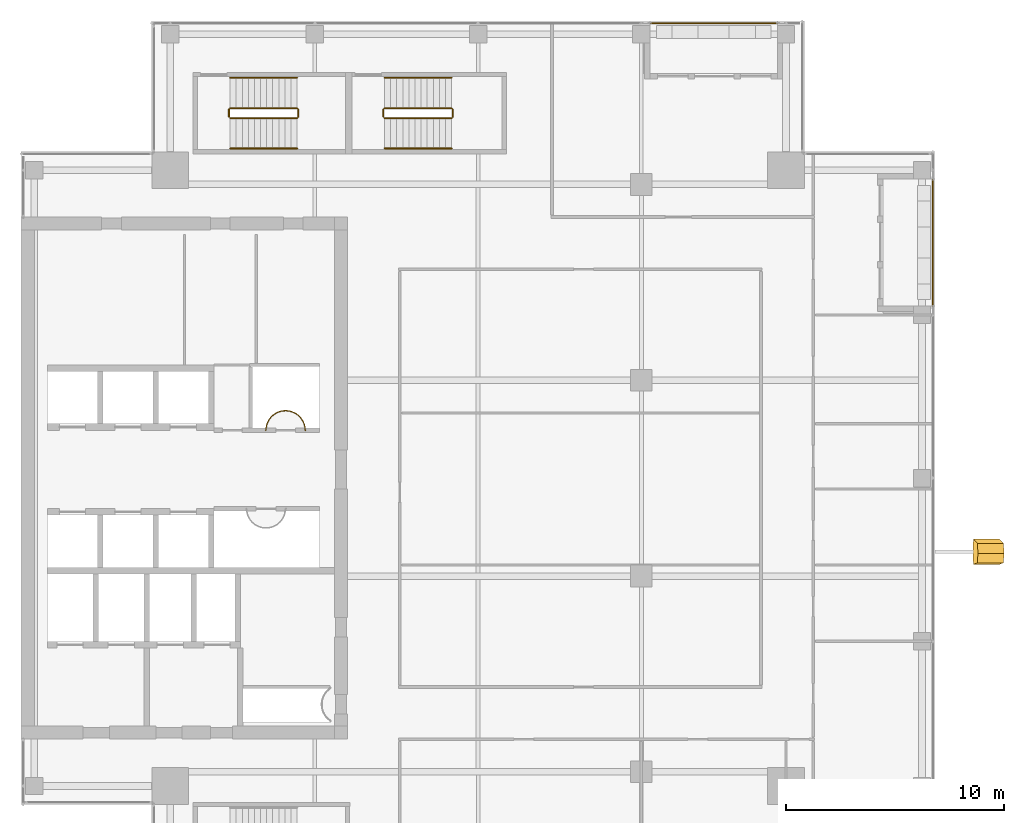
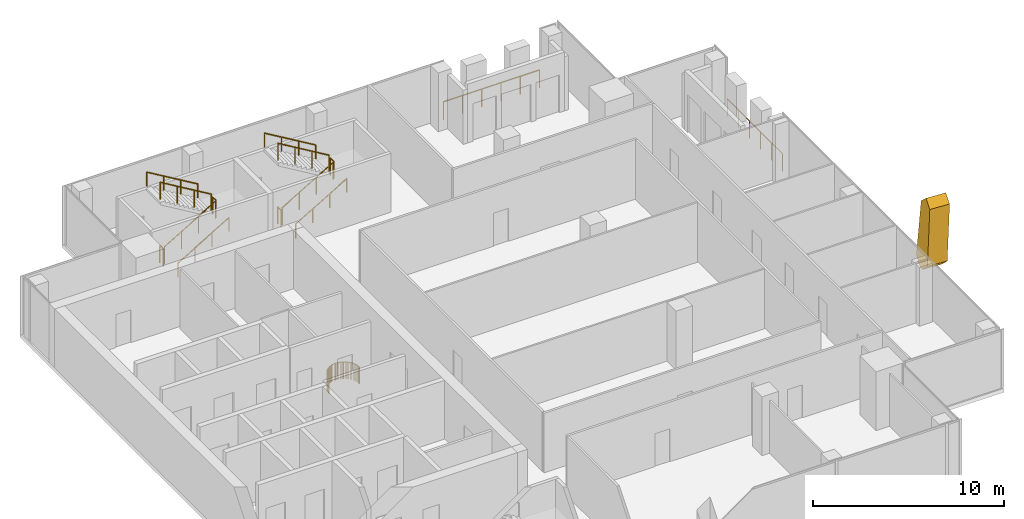
# One storey, part 27 of 28: 15 railings, 1 covering.
"""IFC4 building model written with IfcOpenShell, lengths in metres."""

from ifc_helpers import new_model, si_unit, direction, frame, origin, origin_2d, place, context, subcontext, project, spatial, polyline, circle, outline, extrude, source, transform, mapped, material, layer, layer_set, type_object, element, save


model = new_model("IFC4")

# Units and contexts
model_context = context("Model", 3, precision=1e-05, world=origin(), true_north=direction((0.0, 1.0)))
body_context = subcontext(model_context, "Body", "Model", "MODEL_VIEW")
ifc_project = project(units=[si_unit("LENGTHUNIT", "METRE"), si_unit("AREAUNIT", "SQUARE_METRE"), si_unit("VOLUMEUNIT", "CUBIC_METRE"), si_unit("PLANEANGLEUNIT", "RADIAN"), si_unit("MASSUNIT", "GRAM", prefix="KILO")], contexts=[model_context])

# Site, building, storey
site_placement = place(None, origin())
site = spatial("IfcSite", under=ifc_project, at=site_placement, CompositionType="ELEMENT")
building_placement = place(site_placement, origin())
building = spatial("IfcBuilding", under=site, at=building_placement, Name="Khomas Fold Tower", CompositionType="ELEMENT")
storey_placement = place(building_placement, frame((0.0, 0.0, 298.199951171875)))
storey = spatial("IfcBuildingStorey", under=building, at=storey_placement, Name="L67", CompositionType="ELEMENT", Elevation=298.199951171875)

# Covering
ifc_material_1 = material(Name="Natural stone cladding", Category="masonry")
ifc_layer = layer(ifc_material_1, 1.199951171875)
ifc_layer_set = layer_set([ifc_layer], Name="Natural stone cladding")
covering_type = type_object("IfcCoveringType", Name="SK-Karibib marble stone panel", PredefinedType="CLADDING", material=ifc_layer_set)
covering_placement = place(storey_placement, frame((49.970458984375, 23.546875, 4.426025390625), z_axis=(-0.998630166139, 4.58824e-05, 0.052323887207), x_axis=(-0.035626932576, 0.731787257032, -0.68060130188)))
element("IfcCovering", 1, at=covering_placement, inside=storey, type_object=covering_type, Name="OUTER SKIN leaf L67 ES06-1", PredefinedType="CLADDING", context=body_context, shape_type="SweptSolid", body=[
    extrude(outline(polyline([(0.0, 0.0), (0.624874768349703, 0.0), (3.17248368535986, 2.4524657354807786), (3.1676580811215707, 3.1064140394432718), (2.974170385964027, 3.2866143276822513), (2.331489226327451, 3.2567482565058574), (-0.022801956541875334, 0.624257978467811), (0.0, 0.0)])), origin(), (0.0, 0.0, -1.0), 1.199951171875),
])

# Railings
ifc_material_2 = material(Name="Powder-coated steel", Category="steel")
railing_type_1 = type_object("IfcRailingType", Name="Balcony guard", PredefinedType="GUARDRAIL", material=ifc_material_2)
shared_shape_1 = source(origin(), body_context, "Body", "SweptSolid", [
    extrude(circle(Radius=0.02490234375, at=origin_2d()), frame((0.0, 0.0, 1.125), z_axis=(1.0, 0.0, 0.0), x_axis=(0.0, 1.0, 0.0)), (0.0, 0.0, 1.0), 5.7900390625),
    extrude(circle(Radius=0.02001953125, at=origin_2d()), origin(), (0.0, 0.0, 1.0), 1.099853515625),
    extrude(circle(Radius=0.02001953125, at=origin_2d()), frame((1.157958984375, 0.0, 0.0)), (0.0, 0.0, 1.0), 1.099853515625),
    extrude(circle(Radius=0.02001953125, at=origin_2d()), frame((2.31591796875, 0.0, 0.0)), (0.0, 0.0, 1.0), 1.099853515625),
    extrude(circle(Radius=0.02001953125, at=origin_2d()), frame((3.47412109375, 0.0, 0.0)), (0.0, 0.0, 1.0), 1.099853515625),
    extrude(circle(Radius=0.02001953125, at=origin_2d()), frame((4.632080078125, 0.0, 0.0)), (0.0, 0.0, 1.0), 1.099853515625),
    extrude(circle(Radius=0.02001953125, at=origin_2d()), frame((5.7900390625, 0.0, 0.0)), (0.0, 0.0, 1.0), 1.099853515625),
])
railing_1_placement = place(storey_placement, frame((34.929931640625, 47.89990234375, -0.044921875)))
element("IfcRailing", 2, at=railing_1_placement, inside=storey, type_object=railing_type_1, Name="Balcony guard BAL-L67-N4", PredefinedType="GUARDRAIL", context=body_context, shape_type="MappedRepresentation", body=[
    mapped(shared_shape_1, transform((0.0, 0.0, 0.0))),
])
shared_shape_2 = source(origin(), body_context, "Body", "SweptSolid", [
    extrude(circle(Radius=0.02490234375, at=origin_2d()), frame((0.0, 0.0, 1.125), z_axis=(0.0, 1.0, 0.0), x_axis=(-1.0, 0.0, 0.0)), (0.0, 0.0, 1.0), 5.7900390625),
    extrude(circle(Radius=0.02001953125, at=origin_2d()), origin(), (0.0, 0.0, 1.0), 1.099853515625),
    extrude(circle(Radius=0.02001953125, at=origin_2d()), frame((0.0, 1.157958984375, 0.0)), (0.0, 0.0, 1.0), 1.099853515625),
    extrude(circle(Radius=0.02001953125, at=origin_2d()), frame((0.0, 2.31591796875, 0.0)), (0.0, 0.0, 1.0), 1.099853515625),
    extrude(circle(Radius=0.02001953125, at=origin_2d()), frame((0.0, 3.47412109375, 0.0)), (0.0, 0.0, 1.0), 1.099853515625),
    extrude(circle(Radius=0.02001953125, at=origin_2d()), frame((0.0, 4.632080078125, 0.0)), (0.0, 0.0, 1.0), 1.099853515625),
    extrude(circle(Radius=0.02001953125, at=origin_2d()), frame((0.0, 5.7900390625, 0.0)), (0.0, 0.0, 1.0), 1.099853515625),
])
railing_2_placement = place(storey_placement, frame((47.89990234375, 34.929931640625, -0.044921875)))
element("IfcRailing", 3, at=railing_2_placement, inside=storey, type_object=railing_type_1, Name="Balcony guard BAL-L67-E4", PredefinedType="GUARDRAIL", context=body_context, shape_type="MappedRepresentation", body=[
    mapped(shared_shape_2, transform((0.0, 0.0, 0.0))),
])
ifc_material_3 = material(Name="Steel balustrade", Category="steel")
railing_type_2 = type_object("IfcRailingType", Name="Stair guard", PredefinedType="GUARDRAIL", material=ifc_material_3)
shared_shape_3 = source(origin(), body_context, "Body", "SweptSolid", [
    extrude(circle(Radius=0.02392578125, at=origin_2d()), frame((0.0, 0.0, 1.076171875), z_axis=(0.0, 1.0, 0.0), x_axis=(-1.0, 0.0, 0.0)), (0.0, 0.0, 1.0), 0.349853515625),
    extrude(circle(Radius=0.02099609375, at=origin_2d()), origin(), (0.0, 0.0, 1.0), 1.052001953125),
    extrude(circle(Radius=0.02099609375, at=origin_2d()), frame((0.0, 0.349853515625, 0.0)), (0.0, 0.0, 1.0), 1.052001953125),
])
for number, where, name in (
    (4, (18.72998046875, 43.60009765625, 2.0), "L67 ST1 stair guard 2"),
    (5, (15.550048828125, 43.60009765625, 0.0), "L67 ST1 stair guard 4"),
    (6, (25.830078125, 43.60009765625, 2.0), "L67 ST3 stair guard 2"),
    (7, (22.64990234375, 43.60009765625, 0.0), "L67 ST3 stair guard 4"),
):
    element("IfcRailing", number, at=place(storey_placement, frame(where)), inside=storey, type_object=railing_type_2, Name=name, PredefinedType="GUARDRAIL", context=body_context, shape_type="MappedRepresentation", body=[
        mapped(shared_shape_3, transform((0.0, 0.0, 0.0))),
    ])
shared_shape_4 = source(origin(), body_context, "Body", "SweptSolid", [
    extrude(circle(Radius=0.02392578125, at=origin_2d()), frame((0.0, 0.0, 1.076171875), z_axis=(0.859290745958, 0.0, 0.51148745235), x_axis=(0.0, 1.0, 0.0)), (0.0, 0.0, 1.0), 3.584228515625),
    extrude(circle(Radius=0.02099609375, at=origin_2d()), origin(), (0.0, 0.0, 1.0), 1.052001953125),
    extrude(circle(Radius=0.02099609375, at=origin_2d()), frame((1.026611328125, 0.0, 0.611083984375)), (0.0, 0.0, 1.0), 1.052001953125),
    extrude(circle(Radius=0.02099609375, at=origin_2d()), frame((2.05322265625, 0.0, 1.22216796875)), (0.0, 0.0, 1.0), 1.052001953125),
    extrude(circle(Radius=0.02099609375, at=origin_2d()), frame((3.079833984375, 0.0, 1.833251953125)), (0.0, 0.0, 1.0), 1.052001953125),
])
railing_3_placement = place(storey_placement, frame((15.60009765625, 43.550048828125, 0.166748046875)))
element("IfcRailing", 8, at=railing_3_placement, inside=storey, type_object=railing_type_2, Name="L67 ST1 stair guard 1", PredefinedType="GUARDRAIL", context=body_context, shape_type="MappedRepresentation", body=[
    mapped(shared_shape_4, transform((0.0, 0.0, 0.0))),
])
shared_shape_5 = source(origin(), body_context, "Body", "SweptSolid", [
    extrude(circle(Radius=0.02392578125, at=origin_2d()), frame((0.0, 0.0, 1.076171875), z_axis=(-0.859290745958, 0.0, 0.51148745235), x_axis=(0.0, -1.0, 0.0)), (0.0, 0.0, 1.0), 3.584228515625),
    extrude(circle(Radius=0.02099609375, at=origin_2d()), origin(), (0.0, 0.0, 1.0), 1.052001953125),
    extrude(circle(Radius=0.02099609375, at=origin_2d()), frame((-1.026611328125, 0.0, 0.611083984375)), (0.0, 0.0, 1.0), 1.052001953125),
    extrude(circle(Radius=0.02099609375, at=origin_2d()), frame((-2.05322265625, 0.0, 1.22216796875)), (0.0, 0.0, 1.0), 1.052001953125),
    extrude(circle(Radius=0.02099609375, at=origin_2d()), frame((-3.079833984375, 0.0, 1.833251953125)), (0.0, 0.0, 1.0), 1.052001953125),
])
railing_4_placement = place(storey_placement, frame((18.679931640625, 44.0, 2.166748046875)))
element("IfcRailing", 9, at=railing_4_placement, inside=storey, type_object=railing_type_2, Name="L67 ST1 stair guard 3", PredefinedType="GUARDRAIL", context=body_context, shape_type="MappedRepresentation", body=[
    mapped(shared_shape_5, transform((0.0, 0.0, 0.0))),
])
ifc_material_4 = material(Name="Steel handrail", Category="steel")
railing_type_3 = type_object("IfcRailingType", Name="Stair handrail", PredefinedType="HANDRAIL", material=ifc_material_4)
shared_shape_6 = source(origin(), body_context, "Body", "SweptSolid", [
    extrude(circle(Radius=0.02392578125, at=origin_2d()), frame((0.0, 0.0, 0.8759765625), z_axis=(0.859290745958, 0.0, 0.51148745235), x_axis=(0.0, 1.0, 0.0)), (0.0, 0.0, 1.0), 3.584228515625),
    extrude(circle(Radius=0.02099609375, at=origin_2d()), origin(), (0.0, 0.0, 1.0), 0.851806640625),
    extrude(circle(Radius=0.02099609375, at=origin_2d()), frame((1.026611328125, 0.0, 0.611083984375)), (0.0, 0.0, 1.0), 0.851806640625),
    extrude(circle(Radius=0.02099609375, at=origin_2d()), frame((2.05322265625, 0.0, 1.22216796875)), (0.0, 0.0, 1.0), 0.851806640625),
    extrude(circle(Radius=0.02099609375, at=origin_2d()), frame((3.079833984375, 0.0, 1.833251953125)), (0.0, 0.0, 1.0), 0.851806640625),
])
railing_5_placement = place(storey_placement, frame((15.60009765625, 42.14990234375, 0.166748046875)))
element("IfcRailing", 10, at=railing_5_placement, inside=storey, type_object=railing_type_3, Name="L67 ST1 stair handrail 1", PredefinedType="HANDRAIL", context=body_context, shape_type="MappedRepresentation", body=[
    mapped(shared_shape_6, transform((0.0, 0.0, 0.0))),
])
shared_shape_7 = source(origin(), body_context, "Body", "SweptSolid", [
    extrude(circle(Radius=0.02392578125, at=origin_2d()), frame((0.0, 0.0, 0.8759765625), z_axis=(-0.859290745958, 0.0, 0.51148745235), x_axis=(0.0, -1.0, 0.0)), (0.0, 0.0, 1.0), 3.584228515625),
    extrude(circle(Radius=0.02099609375, at=origin_2d()), origin(), (0.0, 0.0, 1.0), 0.851806640625),
    extrude(circle(Radius=0.02099609375, at=origin_2d()), frame((-1.026611328125, 0.0, 0.611083984375)), (0.0, 0.0, 1.0), 0.851806640625),
    extrude(circle(Radius=0.02099609375, at=origin_2d()), frame((-2.05322265625, 0.0, 1.22216796875)), (0.0, 0.0, 1.0), 0.851806640625),
    extrude(circle(Radius=0.02099609375, at=origin_2d()), frame((-3.079833984375, 0.0, 1.833251953125)), (0.0, 0.0, 1.0), 0.851806640625),
])
railing_6_placement = place(storey_placement, frame((18.679931640625, 45.39990234375, 2.166748046875)))
element("IfcRailing", 11, at=railing_6_placement, inside=storey, type_object=railing_type_3, Name="L67 ST1 stair handrail 2", PredefinedType="HANDRAIL", context=body_context, shape_type="MappedRepresentation", body=[
    mapped(shared_shape_7, transform((0.0, 0.0, 0.0))),
])
shared_shape_8 = source(origin(), body_context, "Body", "SweptSolid", [
    extrude(circle(Radius=0.02392578125, at=origin_2d()), frame((0.0, 0.0, 1.076171875), z_axis=(0.859308565015, 0.0, 0.511457515432), x_axis=(0.0, 1.0, 0.0)), (0.0, 0.0, 1.0), 3.58447265625),
    extrude(circle(Radius=0.02099609375, at=origin_2d()), origin(), (0.0, 0.0, 1.0), 1.052001953125),
    extrude(circle(Radius=0.02099609375, at=origin_2d()), frame((1.026611328125, 0.0, 0.611083984375)), (0.0, 0.0, 1.0), 1.052001953125),
    extrude(circle(Radius=0.02099609375, at=origin_2d()), frame((2.053466796875, 0.0, 1.22216796875)), (0.0, 0.0, 1.0), 1.052001953125),
    extrude(circle(Radius=0.02099609375, at=origin_2d()), frame((3.080078125, 0.0, 1.833251953125)), (0.0, 0.0, 1.0), 1.052001953125),
])
railing_7_placement = place(storey_placement, frame((22.699951171875, 43.550048828125, 0.166748046875)))
element("IfcRailing", 12, at=railing_7_placement, inside=storey, type_object=railing_type_2, Name="L67 ST3 stair guard 1", PredefinedType="GUARDRAIL", context=body_context, shape_type="MappedRepresentation", body=[
    mapped(shared_shape_8, transform((0.0, 0.0, 0.0))),
])
shared_shape_9 = source(origin(), body_context, "Body", "SweptSolid", [
    extrude(circle(Radius=0.02392578125, at=origin_2d()), frame((0.0, 0.0, 1.076171875), z_axis=(-0.859308565015, 0.0, 0.511457515432), x_axis=(0.0, -1.0, 0.0)), (0.0, 0.0, 1.0), 3.58447265625),
    extrude(circle(Radius=0.02099609375, at=origin_2d()), origin(), (0.0, 0.0, 1.0), 1.052001953125),
    extrude(circle(Radius=0.02099609375, at=origin_2d()), frame((-1.026611328125, 0.0, 0.611083984375)), (0.0, 0.0, 1.0), 1.052001953125),
    extrude(circle(Radius=0.02099609375, at=origin_2d()), frame((-2.053466796875, 0.0, 1.22216796875)), (0.0, 0.0, 1.0), 1.052001953125),
    extrude(circle(Radius=0.02099609375, at=origin_2d()), frame((-3.080078125, 0.0, 1.833251953125)), (0.0, 0.0, 1.0), 1.052001953125),
])
railing_8_placement = place(storey_placement, frame((25.780029296875, 44.0, 2.166748046875)))
element("IfcRailing", 13, at=railing_8_placement, inside=storey, type_object=railing_type_2, Name="L67 ST3 stair guard 3", PredefinedType="GUARDRAIL", context=body_context, shape_type="MappedRepresentation", body=[
    mapped(shared_shape_9, transform((0.0, 0.0, 0.0))),
])
shared_shape_10 = source(origin(), body_context, "Body", "SweptSolid", [
    extrude(circle(Radius=0.02392578125, at=origin_2d()), frame((0.0, 0.0, 0.8759765625), z_axis=(0.859308565015, 0.0, 0.511457515432), x_axis=(0.0, 1.0, 0.0)), (0.0, 0.0, 1.0), 3.58447265625),
    extrude(circle(Radius=0.02099609375, at=origin_2d()), origin(), (0.0, 0.0, 1.0), 0.851806640625),
    extrude(circle(Radius=0.02099609375, at=origin_2d()), frame((1.026611328125, 0.0, 0.611083984375)), (0.0, 0.0, 1.0), 0.851806640625),
    extrude(circle(Radius=0.02099609375, at=origin_2d()), frame((2.053466796875, 0.0, 1.22216796875)), (0.0, 0.0, 1.0), 0.851806640625),
    extrude(circle(Radius=0.02099609375, at=origin_2d()), frame((3.080078125, 0.0, 1.833251953125)), (0.0, 0.0, 1.0), 0.851806640625),
])
railing_9_placement = place(storey_placement, frame((22.699951171875, 42.14990234375, 0.166748046875)))
element("IfcRailing", 14, at=railing_9_placement, inside=storey, type_object=railing_type_3, Name="L67 ST3 stair handrail 1", PredefinedType="HANDRAIL", context=body_context, shape_type="MappedRepresentation", body=[
    mapped(shared_shape_10, transform((0.0, 0.0, 0.0))),
])
shared_shape_11 = source(origin(), body_context, "Body", "SweptSolid", [
    extrude(circle(Radius=0.02392578125, at=origin_2d()), frame((0.0, 0.0, 0.8759765625), z_axis=(-0.859308565015, 0.0, 0.511457515432), x_axis=(0.0, -1.0, 0.0)), (0.0, 0.0, 1.0), 3.58447265625),
    extrude(circle(Radius=0.02099609375, at=origin_2d()), origin(), (0.0, 0.0, 1.0), 0.851806640625),
    extrude(circle(Radius=0.02099609375, at=origin_2d()), frame((-1.026611328125, 0.0, 0.611083984375)), (0.0, 0.0, 1.0), 0.851806640625),
    extrude(circle(Radius=0.02099609375, at=origin_2d()), frame((-2.053466796875, 0.0, 1.22216796875)), (0.0, 0.0, 1.0), 0.851806640625),
    extrude(circle(Radius=0.02099609375, at=origin_2d()), frame((-3.080078125, 0.0, 1.833251953125)), (0.0, 0.0, 1.0), 0.851806640625),
])
railing_10_placement = place(storey_placement, frame((25.780029296875, 45.39990234375, 2.166748046875)))
element("IfcRailing", 15, at=railing_10_placement, inside=storey, type_object=railing_type_3, Name="L67 ST3 stair handrail 2", PredefinedType="HANDRAIL", context=body_context, shape_type="MappedRepresentation", body=[
    mapped(shared_shape_11, transform((0.0, 0.0, 0.0))),
])
ifc_material_5 = material(Name="Steel balustrade", Category="steel")
railing_type_4 = type_object("IfcRailingType", Name="Shaft guard", PredefinedType="GUARDRAIL", material=ifc_material_5)
shared_shape_12 = source(origin(), body_context, "Body", "SweptSolid", [
    extrude(circle(Radius=0.02490234375, at=origin_2d()), frame((0.0, 0.0, 1.0751953125), z_axis=(-1.0, 0.0, 0.0), x_axis=(0.0, -1.0, 0.0)), (0.0, 0.0, 1.0), 0.030029296875),
    extrude(circle(Radius=0.02490234375, at=origin_2d()), frame((-0.030029296875, 0.0, 1.0751953125), z_axis=(-0.049799629132, 0.998759228712, 0.0), x_axis=(-0.998759228712, -0.049799629132, 0.0)), (0.0, 0.0, 1.0), 0.088134765625),
    extrude(circle(Radius=0.02490234375, at=origin_2d()), frame((-0.034423828125, 0.088134765625, 1.0751953125), z_axis=(-0.146448518259, 0.989218293148, 0.0), x_axis=(-0.989218293148, -0.146448518259, 0.0)), (0.0, 0.0, 1.0), 0.08837890625),
    extrude(circle(Radius=0.02490234375, at=origin_2d()), frame((-0.04736328125, 0.175537109375, 1.0751953125), z_axis=(-0.243185799972, 0.969979724887, 0.0), x_axis=(-0.969979724887, -0.243185799972, 0.0)), (0.0, 0.0, 1.0), 0.08837890625),
    extrude(circle(Radius=0.02490234375, at=origin_2d()), frame((-0.06884765625, 0.26123046875, 1.0751953125), z_axis=(-0.336861089454, 0.941554356589, 0.0), x_axis=(-0.941554356589, -0.336861089454, 0.0)), (0.0, 0.0, 1.0), 0.08837890625),
    extrude(circle(Radius=0.02490234375, at=origin_2d()), frame((-0.0986328125, 0.344482421875, 1.0751953125), z_axis=(-0.428323905606, 0.903625271828, 0.0), x_axis=(-0.903625271828, -0.428323905606, 0.0)), (0.0, 0.0, 1.0), 0.08837890625),
    extrude(circle(Radius=0.02490234375, at=origin_2d()), frame((-0.136474609375, 0.42431640625, 1.0751953125), z_axis=(-0.514495755428, 0.857492925713, 0.0), x_axis=(-0.857492925713, -0.514495755428, 0.0)), (0.0, 0.0, 1.0), 0.08837890625),
    extrude(circle(Radius=0.02490234375, at=origin_2d()), frame((-0.181884765625, 0.5, 1.0751953125), z_axis=(-0.594235623595, 0.804291006819, 0.0), x_axis=(-0.804291006819, -0.594235623595, 0.0)), (0.0, 0.0, 1.0), 0.08837890625),
    extrude(circle(Radius=0.02490234375, at=origin_2d()), frame((-0.234375, 0.571044921875, 1.0751953125), z_axis=(-0.671709119666, 0.740814996175, 0.0), x_axis=(-0.740814996175, -0.671709119666, 0.0)), (0.0, 0.0, 1.0), 0.08837890625),
    extrude(circle(Radius=0.02490234375, at=origin_2d()), frame((-0.293701171875, 0.636474609375, 1.0751953125), z_axis=(-0.740814996175, 0.671709119666, 0.0), x_axis=(-0.671709119666, -0.740814996175, 0.0)), (0.0, 0.0, 1.0), 0.08837890625),
    extrude(circle(Radius=0.02490234375, at=origin_2d()), frame((-0.359130859375, 0.69580078125, 1.0751953125), z_axis=(-0.804291006819, 0.594235623595, 0.0), x_axis=(-0.594235623595, -0.804291006819, 0.0)), (0.0, 0.0, 1.0), 0.08837890625),
    extrude(circle(Radius=0.02490234375, at=origin_2d()), frame((-0.43017578125, 0.748291015625, 1.0751953125), z_axis=(-0.857492925713, 0.514495755428, 0.0), x_axis=(-0.514495755428, -0.857492925713, 0.0)), (0.0, 0.0, 1.0), 0.08837890625),
    extrude(circle(Radius=0.02490234375, at=origin_2d()), frame((-0.505859375, 0.793701171875, 1.0751953125), z_axis=(-0.903625271828, 0.428323905606, 0.0), x_axis=(-0.428323905606, -0.903625271828, 0.0)), (0.0, 0.0, 1.0), 0.08837890625),
    extrude(circle(Radius=0.02490234375, at=origin_2d()), frame((-0.585693359375, 0.83154296875, 1.0751953125), z_axis=(-0.941239807302, 0.337738989679, 0.0), x_axis=(-0.337738989679, -0.941239807302, 0.0)), (0.0, 0.0, 1.0), 0.088134765625),
    extrude(circle(Radius=0.02490234375, at=origin_2d()), frame((-0.668701171875, 0.861328125, 1.0751953125), z_axis=(-0.969979724887, 0.243185799972, 0.0), x_axis=(-0.243185799972, -0.969979724887, 0.0)), (0.0, 0.0, 1.0), 0.08837890625),
    extrude(circle(Radius=0.02490234375, at=origin_2d()), frame((-0.75439453125, 0.8828125, 1.0751953125), z_axis=(-0.989218293148, 0.146448518259, 0.0), x_axis=(-0.146448518259, -0.989218293148, 0.0)), (0.0, 0.0, 1.0), 0.08837890625),
    extrude(circle(Radius=0.02490234375, at=origin_2d()), frame((-0.841796875, 0.895751953125, 1.0751953125), z_axis=(-0.998766061669, 0.049662400856, 0.0), x_axis=(-0.049662400856, -0.998766061669, 0.0)), (0.0, 0.0, 1.0), 0.08837890625),
    extrude(circle(Radius=0.02490234375, at=origin_2d()), frame((-0.93017578125, 0.900146484375, 1.0751953125), z_axis=(-0.998759228712, -0.049799629132, 0.0), x_axis=(0.049799629132, -0.998759228712, 0.0)), (0.0, 0.0, 1.0), 0.088134765625),
    extrude(circle(Radius=0.02490234375, at=origin_2d()), frame((-1.018310546875, 0.895751953125, 1.0751953125), z_axis=(-0.989218293148, -0.146448518259, 0.0), x_axis=(0.146448518259, -0.989218293148, 0.0)), (0.0, 0.0, 1.0), 0.08837890625),
    extrude(circle(Radius=0.02490234375, at=origin_2d()), frame((-1.105712890625, 0.8828125, 1.0751953125), z_axis=(-0.969979724887, -0.243185799972, 0.0), x_axis=(0.243185799972, -0.969979724887, 0.0)), (0.0, 0.0, 1.0), 0.08837890625),
    extrude(circle(Radius=0.02490234375, at=origin_2d()), frame((-1.19140625, 0.861328125, 1.0751953125), z_axis=(-0.941239807302, -0.337738989679, 0.0), x_axis=(0.337738989679, -0.941239807302, 0.0)), (0.0, 0.0, 1.0), 0.088134765625),
    extrude(circle(Radius=0.02490234375, at=origin_2d()), frame((-1.2744140625, 0.83154296875, 1.0751953125), z_axis=(-0.904130352346, -0.427256721383, 0.0), x_axis=(0.427256721383, -0.904130352346, 0.0)), (0.0, 0.0, 1.0), 0.088623046875),
    extrude(circle(Radius=0.02490234375, at=origin_2d()), frame((-1.3544921875, 0.793701171875, 1.0751953125), z_axis=(-0.857492925713, -0.514495755428, 0.0), x_axis=(0.514495755428, -0.857492925713, 0.0)), (0.0, 0.0, 1.0), 0.08837890625),
    extrude(circle(Radius=0.02490234375, at=origin_2d()), frame((-1.43017578125, 0.748291015625, 1.0751953125), z_axis=(-0.803311771616, -0.595558727233, 0.0), x_axis=(0.595558727233, -0.803311771616, 0.0)), (0.0, 0.0, 1.0), 0.088134765625),
    extrude(circle(Radius=0.02490234375, at=origin_2d()), frame((-1.5009765625, 0.69580078125, 1.0751953125), z_axis=(-0.740814996175, -0.671709119666, 0.0), x_axis=(0.671709119666, -0.740814996175, 0.0)), (0.0, 0.0, 1.0), 0.08837890625),
    extrude(circle(Radius=0.02490234375, at=origin_2d()), frame((-1.56640625, 0.636474609375, 1.0751953125), z_axis=(-0.671709119666, -0.740814996175, 0.0), x_axis=(0.740814996175, -0.671709119666, 0.0)), (0.0, 0.0, 1.0), 0.08837890625),
    extrude(circle(Radius=0.02490234375, at=origin_2d()), frame((-1.625732421875, 0.571044921875, 1.0751953125), z_axis=(-0.596019138224, -0.802970227885, 0.0), x_axis=(0.802970227885, -0.596019138224, 0.0)), (0.0, 0.0, 1.0), 0.08837890625),
    extrude(circle(Radius=0.02490234375, at=origin_2d()), frame((-1.678466796875, 0.5, 1.0751953125), z_axis=(-0.514495755428, -0.857492925713, 0.0), x_axis=(0.857492925713, -0.514495755428, 0.0)), (0.0, 0.0, 1.0), 0.08837890625),
    extrude(circle(Radius=0.02490234375, at=origin_2d()), frame((-1.723876953125, 0.42431640625, 1.0751953125), z_axis=(-0.426063493689, -0.904693262573, 0.0), x_axis=(0.904693262573, -0.426063493689, 0.0)), (0.0, 0.0, 1.0), 0.088134765625),
    extrude(circle(Radius=0.02490234375, at=origin_2d()), frame((-1.761474609375, 0.344482421875, 1.0751953125), z_axis=(-0.336861089454, -0.941554356589, 0.0), x_axis=(0.941554356589, -0.336861089454, 0.0)), (0.0, 0.0, 1.0), 0.08837890625),
    extrude(circle(Radius=0.02490234375, at=origin_2d()), frame((-1.791259765625, 0.26123046875, 1.0751953125), z_axis=(-0.243185799972, -0.969979724887, 0.0), x_axis=(0.969979724887, -0.243185799972, 0.0)), (0.0, 0.0, 1.0), 0.08837890625),
    extrude(circle(Radius=0.02490234375, at=origin_2d()), frame((-1.812744140625, 0.175537109375, 1.0751953125), z_axis=(-0.146448518259, -0.989218293148, 0.0), x_axis=(0.989218293148, -0.146448518259, 0.0)), (0.0, 0.0, 1.0), 0.08837890625),
    extrude(circle(Radius=0.02490234375, at=origin_2d()), frame((-1.82568359375, 0.088134765625, 1.0751953125), z_axis=(-0.049799629132, -0.998759228712, 0.0), x_axis=(0.998759228712, -0.049799629132, 0.0)), (0.0, 0.0, 1.0), 0.088134765625),
    extrude(circle(Radius=0.02490234375, at=origin_2d()), frame((-1.830078125, 0.0, 1.0751953125), z_axis=(-1.0, 0.0, 0.0), x_axis=(0.0, -1.0, 0.0)), (0.0, 0.0, 1.0), 0.030029296875),
    extrude(circle(Radius=0.02001953125, at=origin_2d()), origin(), (0.0, 0.0, 1.0), 1.050048828125),
    extrude(circle(Radius=0.02001953125, at=origin_2d()), frame((-0.030029296875, 0.0, 0.0)), (0.0, 0.0, 1.0), 1.050048828125),
    extrude(circle(Radius=0.02001953125, at=origin_2d()), frame((-0.034423828125, 0.088134765625, 0.0)), (0.0, 0.0, 1.0), 1.050048828125),
    extrude(circle(Radius=0.02001953125, at=origin_2d()), frame((-0.04736328125, 0.175537109375, 0.0)), (0.0, 0.0, 1.0), 1.050048828125),
    extrude(circle(Radius=0.02001953125, at=origin_2d()), frame((-0.06884765625, 0.26123046875, 0.0)), (0.0, 0.0, 1.0), 1.050048828125),
    extrude(circle(Radius=0.02001953125, at=origin_2d()), frame((-0.0986328125, 0.344482421875, 0.0)), (0.0, 0.0, 1.0), 1.050048828125),
    extrude(circle(Radius=0.02001953125, at=origin_2d()), frame((-0.136474609375, 0.42431640625, 0.0)), (0.0, 0.0, 1.0), 1.050048828125),
    extrude(circle(Radius=0.02001953125, at=origin_2d()), frame((-0.181884765625, 0.5, 0.0)), (0.0, 0.0, 1.0), 1.050048828125),
    extrude(circle(Radius=0.02001953125, at=origin_2d()), frame((-0.234375, 0.571044921875, 0.0)), (0.0, 0.0, 1.0), 1.050048828125),
    extrude(circle(Radius=0.02001953125, at=origin_2d()), frame((-0.293701171875, 0.636474609375, 0.0)), (0.0, 0.0, 1.0), 1.050048828125),
    extrude(circle(Radius=0.02001953125, at=origin_2d()), frame((-0.359130859375, 0.69580078125, 0.0)), (0.0, 0.0, 1.0), 1.050048828125),
    extrude(circle(Radius=0.02001953125, at=origin_2d()), frame((-0.43017578125, 0.748291015625, 0.0)), (0.0, 0.0, 1.0), 1.050048828125),
    extrude(circle(Radius=0.02001953125, at=origin_2d()), frame((-0.505859375, 0.793701171875, 0.0)), (0.0, 0.0, 1.0), 1.050048828125),
    extrude(circle(Radius=0.02001953125, at=origin_2d()), frame((-0.585693359375, 0.83154296875, 0.0)), (0.0, 0.0, 1.0), 1.050048828125),
    extrude(circle(Radius=0.02001953125, at=origin_2d()), frame((-0.668701171875, 0.861328125, 0.0)), (0.0, 0.0, 1.0), 1.050048828125),
    extrude(circle(Radius=0.02001953125, at=origin_2d()), frame((-0.75439453125, 0.8828125, 0.0)), (0.0, 0.0, 1.0), 1.050048828125),
    extrude(circle(Radius=0.02001953125, at=origin_2d()), frame((-0.841796875, 0.895751953125, 0.0)), (0.0, 0.0, 1.0), 1.050048828125),
    extrude(circle(Radius=0.02001953125, at=origin_2d()), frame((-0.93017578125, 0.900146484375, 0.0)), (0.0, 0.0, 1.0), 1.050048828125),
    extrude(circle(Radius=0.02001953125, at=origin_2d()), frame((-1.018310546875, 0.895751953125, 0.0)), (0.0, 0.0, 1.0), 1.050048828125),
    extrude(circle(Radius=0.02001953125, at=origin_2d()), frame((-1.105712890625, 0.8828125, 0.0)), (0.0, 0.0, 1.0), 1.050048828125),
    extrude(circle(Radius=0.02001953125, at=origin_2d()), frame((-1.19140625, 0.861328125, 0.0)), (0.0, 0.0, 1.0), 1.050048828125),
    extrude(circle(Radius=0.02001953125, at=origin_2d()), frame((-1.2744140625, 0.83154296875, 0.0)), (0.0, 0.0, 1.0), 1.050048828125),
    extrude(circle(Radius=0.02001953125, at=origin_2d()), frame((-1.3544921875, 0.793701171875, 0.0)), (0.0, 0.0, 1.0), 1.050048828125),
    extrude(circle(Radius=0.02001953125, at=origin_2d()), frame((-1.43017578125, 0.748291015625, 0.0)), (0.0, 0.0, 1.0), 1.050048828125),
    extrude(circle(Radius=0.02001953125, at=origin_2d()), frame((-1.5009765625, 0.69580078125, 0.0)), (0.0, 0.0, 1.0), 1.050048828125),
    extrude(circle(Radius=0.02001953125, at=origin_2d()), frame((-1.56640625, 0.636474609375, 0.0)), (0.0, 0.0, 1.0), 1.050048828125),
    extrude(circle(Radius=0.02001953125, at=origin_2d()), frame((-1.625732421875, 0.571044921875, 0.0)), (0.0, 0.0, 1.0), 1.050048828125),
    extrude(circle(Radius=0.02001953125, at=origin_2d()), frame((-1.678466796875, 0.5, 0.0)), (0.0, 0.0, 1.0), 1.050048828125),
    extrude(circle(Radius=0.02001953125, at=origin_2d()), frame((-1.723876953125, 0.42431640625, 0.0)), (0.0, 0.0, 1.0), 1.050048828125),
    extrude(circle(Radius=0.02001953125, at=origin_2d()), frame((-1.761474609375, 0.344482421875, 0.0)), (0.0, 0.0, 1.0), 1.050048828125),
    extrude(circle(Radius=0.02001953125, at=origin_2d()), frame((-1.791259765625, 0.26123046875, 0.0)), (0.0, 0.0, 1.0), 1.050048828125),
    extrude(circle(Radius=0.02001953125, at=origin_2d()), frame((-1.812744140625, 0.175537109375, 0.0)), (0.0, 0.0, 1.0), 1.050048828125),
    extrude(circle(Radius=0.02001953125, at=origin_2d()), frame((-1.82568359375, 0.088134765625, 0.0)), (0.0, 0.0, 1.0), 1.050048828125),
    extrude(circle(Radius=0.02001953125, at=origin_2d()), frame((-1.830078125, 0.0, 0.0)), (0.0, 0.0, 1.0), 1.050048828125),
    extrude(circle(Radius=0.02001953125, at=origin_2d()), frame((-1.860107421875, 0.0, 0.0)), (0.0, 0.0, 1.0), 1.050048828125),
])
railing_11_placement = place(storey_placement, frame((19.080078125, 29.199951171875, 0.0)))
element("IfcRailing", 16, at=railing_11_placement, inside=storey, type_object=railing_type_4, Name="Shaft guard L67 3", PredefinedType="GUARDRAIL", context=body_context, shape_type="MappedRepresentation", body=[
    mapped(shared_shape_12, transform((0.0, 0.0, 0.0))),
])

save(model, "model.ifc")
